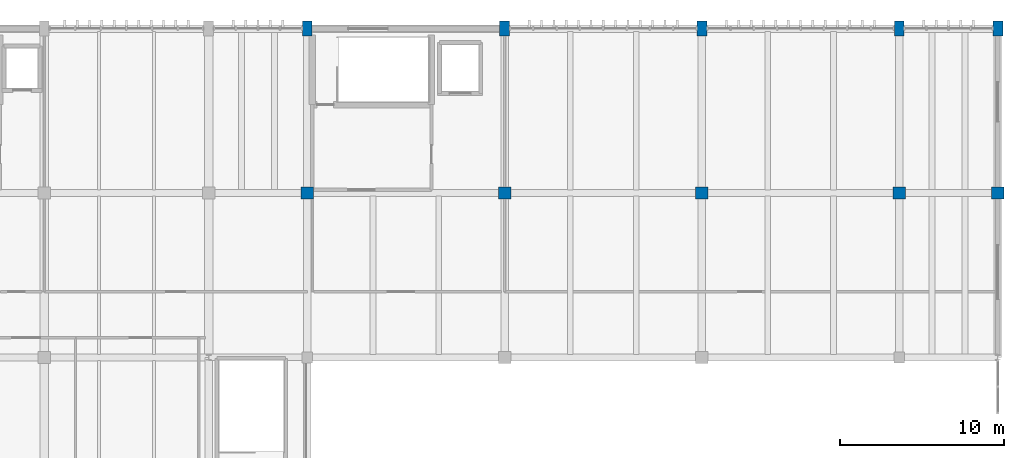
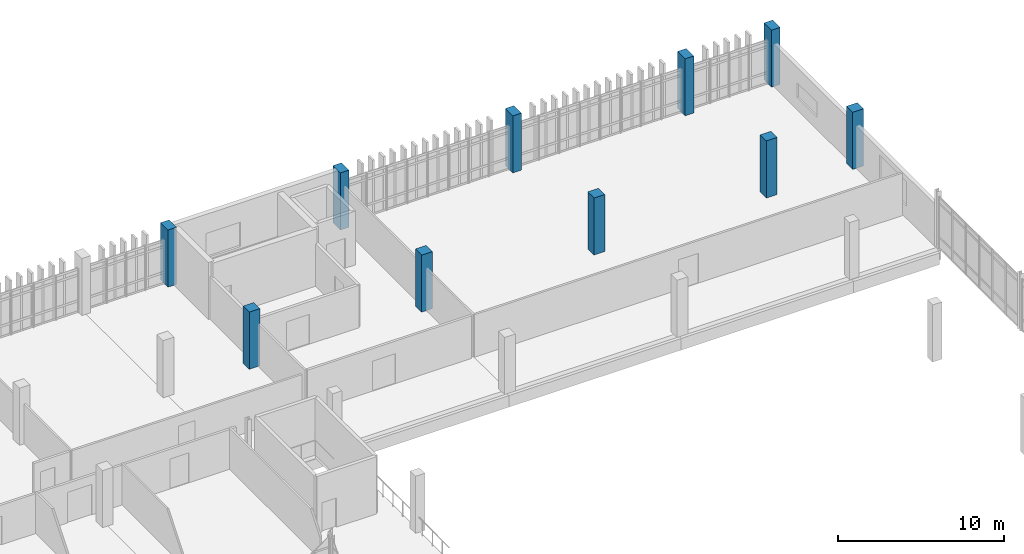
# One storey, part 6 of 161: 10 columns.
"""IFC4 building model written with IfcOpenShell, lengths in metres."""

from ifc_helpers import new_model, si_unit, direction, frame, origin, origin_2d, place, context, subcontext, project, spatial, rectangle, extrude, material, material_profile, profile_set, type_object, element, save


model = new_model("IFC4")

# Units and contexts
model_context = context("Model", 3, precision=1e-05, world=origin(), true_north=direction((0.0, 1.0)))
body_context = subcontext(model_context, "Body", "Model", "MODEL_VIEW")
ifc_project = project(units=[si_unit("LENGTHUNIT", "METRE"), si_unit("AREAUNIT", "SQUARE_METRE"), si_unit("VOLUMEUNIT", "CUBIC_METRE"), si_unit("PLANEANGLEUNIT", "RADIAN"), si_unit("MASSUNIT", "GRAM", prefix="KILO")], contexts=[model_context])

# Site, building, storey
site_placement = place(None, origin())
site = spatial("IfcSite", under=ifc_project, at=site_placement, CompositionType="ELEMENT")
building_placement = place(site_placement, origin())
building = spatial("IfcBuilding", under=site, at=building_placement, Name="Mersad Railyard Sports Hall", CompositionType="ELEMENT")
storey_placement = place(building_placement, frame((0.0, 0.0, 4.800048828125)))
storey = spatial("IfcBuildingStorey", under=building, at=storey_placement, Name="L01", CompositionType="ELEMENT", Elevation=4.800048828125)

# Columns
ifc_material = material(Name="Concrete C50/60", Category="concrete")
ifc_material_profile_1 = material_profile(ifc_material, rectangle(XDim=0.75, YDim=0.75, at=origin_2d()), Name="RC 750x750")
ifc_profile_set_1 = profile_set([ifc_material_profile_1], Name="Concrete C50/60")
column_type_1 = type_object("IfcColumnType", Name="STR-COL-C03", PredefinedType="COLUMN", material=ifc_profile_set_1)
for number, where, z_axis, x_axis, name in (
    (1, (137.0, 105.0, 0.0), (0.0, 0.0, 1.0), (1.0, 0.0, 0.0), "Column C03 L01 (137.0,105.0)"),
    (2, (149.0, 105.0, 0.0), (0.0, 0.0, 1.0), (1.0, 0.0, 0.0), "Column C03 L01 (149.0,105.0)"),
    (3, (161.0, 105.0, 0.0), (0.0, 0.0, 1.0), (1.0, 0.0, 0.0), "Column C03 L01 (161.0,105.0)"),
    (4, (173.0, 105.0, 0.0), (0.0, 0.0, 1.0), (1.0, 0.0, 0.0), "Column C03 L01 (173.0,105.0)"),
    (5, (179.0, 105.0, 0.0), (0.0, 0.0, 1.0), (1.0, 0.0, 0.0), "Column C03 L01 (179.0,105.0)"),
):
    element("IfcColumn", number, at=place(storey_placement, frame(where, z_axis=z_axis, x_axis=x_axis)), inside=storey, type_object=column_type_1, Name=name, PredefinedType="COLUMN", context=body_context, shape_type="SweptSolid", body=[
        extrude(rectangle(XDim=0.75, YDim=0.75, at=origin_2d()), origin(), (0.0, 0.0, 1.0), 4.199951171875),
    ])
ifc_material_profile_2 = material_profile(ifc_material, rectangle(XDim=0.60009765625, YDim=0.89990234375, at=origin_2d()), Name="RC 600x900")
ifc_profile_set_2 = profile_set([ifc_material_profile_2], Name="Concrete C50/60")
column_type_2 = type_object("IfcColumnType", Name="STR-COL-C07", PredefinedType="COLUMN", material=ifc_profile_set_2)
for number, where, z_axis, x_axis, name in (
    (6, (137.0, 115.0, 0.0), (0.0, 0.0, 1.0), (1.0, 0.0, 0.0), "Column C07 L01 (137.0,115.0)"),
    (7, (149.0, 115.0, 0.0), (0.0, 0.0, 1.0), (1.0, 0.0, 0.0), "Column C07 L01 (149.0,115.0)"),
    (8, (161.0, 115.0, 0.0), (0.0, 0.0, 1.0), (1.0, 0.0, 0.0), "Column C07 L01 (161.0,115.0)"),
    (9, (173.0, 115.0, 0.0), (0.0, 0.0, 1.0), (1.0, 0.0, 0.0), "Column C07 L01 (173.0,115.0)"),
    (10, (179.0, 115.0, 0.0), (0.0, 0.0, 1.0), (1.0, 0.0, 0.0), "Column C07 L01 (179.0,115.0)"),
):
    element("IfcColumn", number, at=place(storey_placement, frame(where, z_axis=z_axis, x_axis=x_axis)), inside=storey, type_object=column_type_2, Name=name, PredefinedType="COLUMN", context=body_context, shape_type="SweptSolid", body=[
        extrude(rectangle(XDim=0.60009765625, YDim=0.89990234375, at=origin_2d()), origin(), (0.0, 0.0, 1.0), 4.199951171875),
    ])

save(model, "model.ifc")
